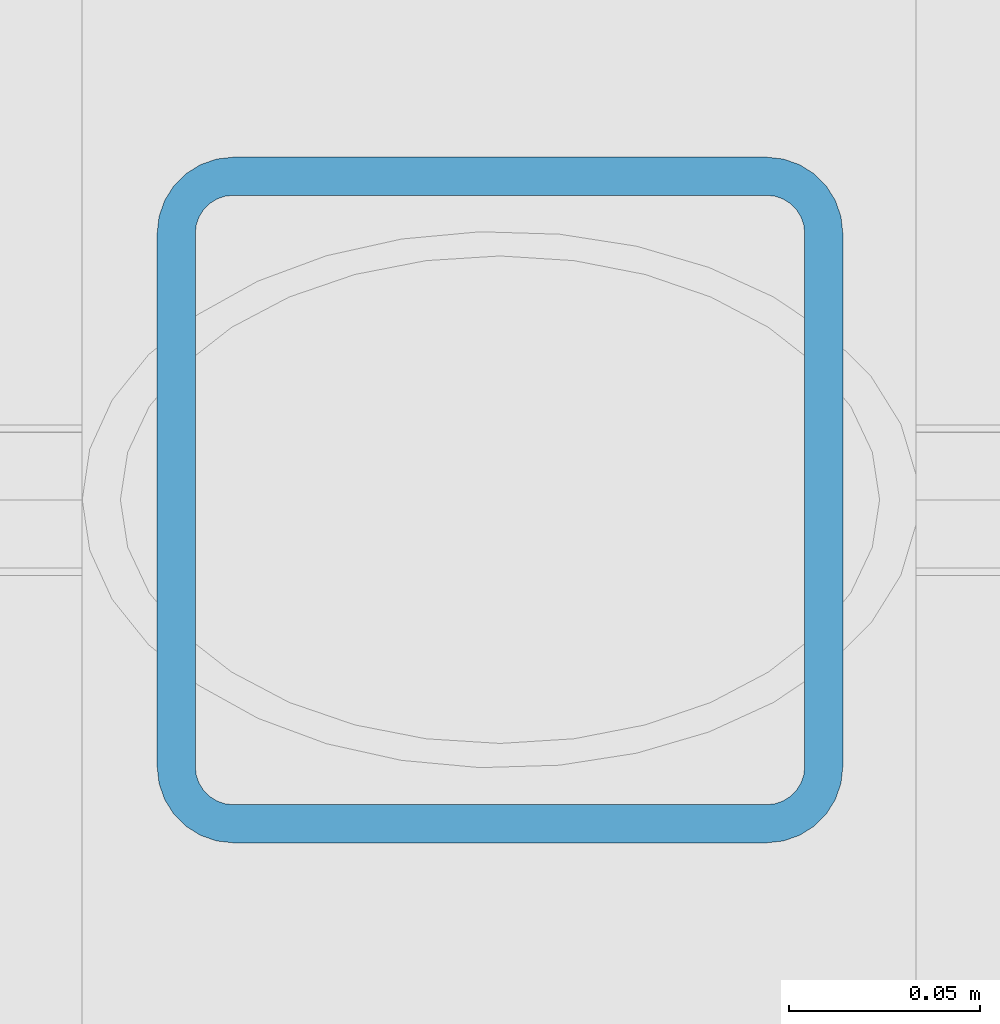
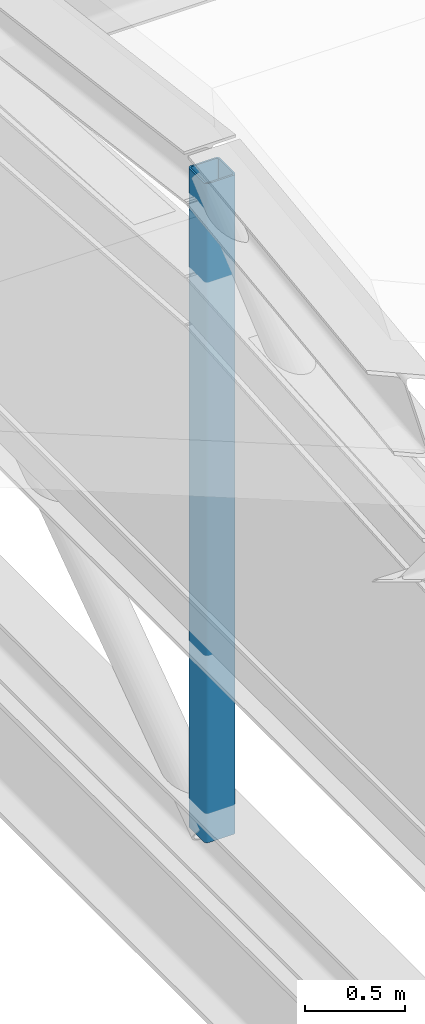
# One storey, part 17 of 103: 1 member.
"""IFC4 building model written with IfcOpenShell, lengths in metres."""

from ifc_helpers import new_model, si_unit, direction, frame, origin, origin_2d, place, context, subcontext, project, spatial, hollow_rectangle, extrude, material, material_profile, profile_set, type_object, element, save


model = new_model("IFC4")

# Units and contexts
model_context = context("Model", 3, precision=1e-05, world=origin(), true_north=direction((0.0, 1.0)))
body_context = subcontext(model_context, "Body", "Model", "MODEL_VIEW")
ifc_project = project(units=[si_unit("LENGTHUNIT", "METRE"), si_unit("AREAUNIT", "SQUARE_METRE"), si_unit("VOLUMEUNIT", "CUBIC_METRE"), si_unit("PLANEANGLEUNIT", "RADIAN"), si_unit("MASSUNIT", "GRAM", prefix="KILO")], contexts=[model_context])

# Site, building, storey
site_placement = place(None, origin())
site = spatial("IfcSite", under=ifc_project, at=site_placement, CompositionType="ELEMENT")
building_placement = place(site_placement, origin())
building = spatial("IfcBuilding", under=site, at=building_placement, Name="Zlatovets Crest Museum", CompositionType="ELEMENT")
storey_placement = place(building_placement, frame((0.0, 0.0, 12.89990234375)))
storey = spatial("IfcBuildingStorey", under=building, at=storey_placement, Name="L03", CompositionType="ELEMENT", Elevation=12.89990234375)

# Member
ifc_material = material(Name="Structural steel S355J2", Category="steel")
ifc_material_profile = material_profile(ifc_material, hollow_rectangle(XDim=0.179931640625, YDim=0.179931640625, WallThickness=0.010009765625, InnerFilletRadius=0.010009765625, OuterFilletRadius=0.02001953125, at=origin_2d()), Name="SHS 180x180x10.0")
ifc_profile_set = profile_set([ifc_material_profile], Name="Structural steel S355J2")
member_type = type_object("IfcMemberType", Name="Member_TM-04", PredefinedType="STRUT", material=ifc_profile_set)
member_placement = place(storey_placement, frame((7.199951171875, 14.39990234375, 0.080078125), z_axis=(0.0, 0.0, 1.0), x_axis=(1.0, 0.0, 0.0)))
element("IfcMember", 1, at=member_placement, inside=storey, type_object=member_type, Name="V3 Barrel Vault Web Strut", PredefinedType="STRUT", context=body_context, shape_type="SweptSolid", body=[
    extrude(hollow_rectangle(XDim=0.179931640625, YDim=0.179931640625, WallThickness=0.010009765625, InnerFilletRadius=0.010009765625, OuterFilletRadius=0.02001953125, at=origin_2d()), origin(), (0.0, 0.0, 1.0), 4.02001953125),
])

save(model, "model.ifc")
